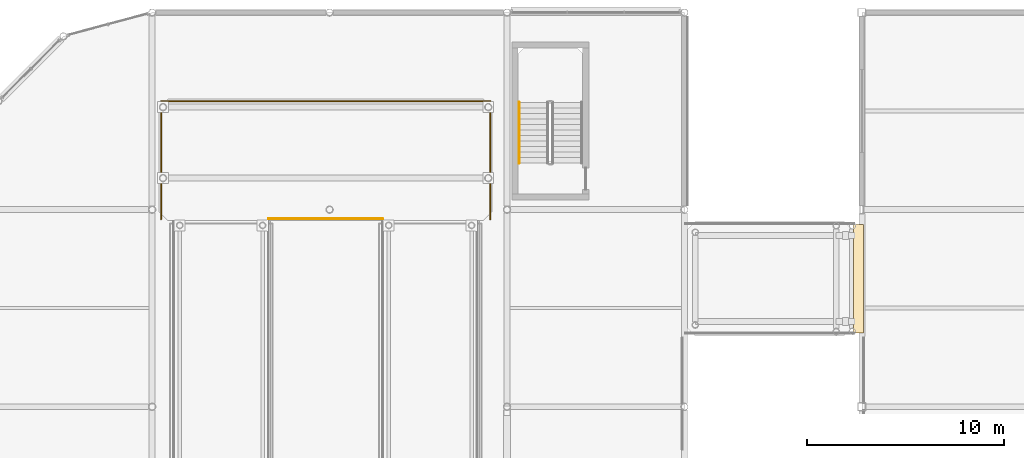
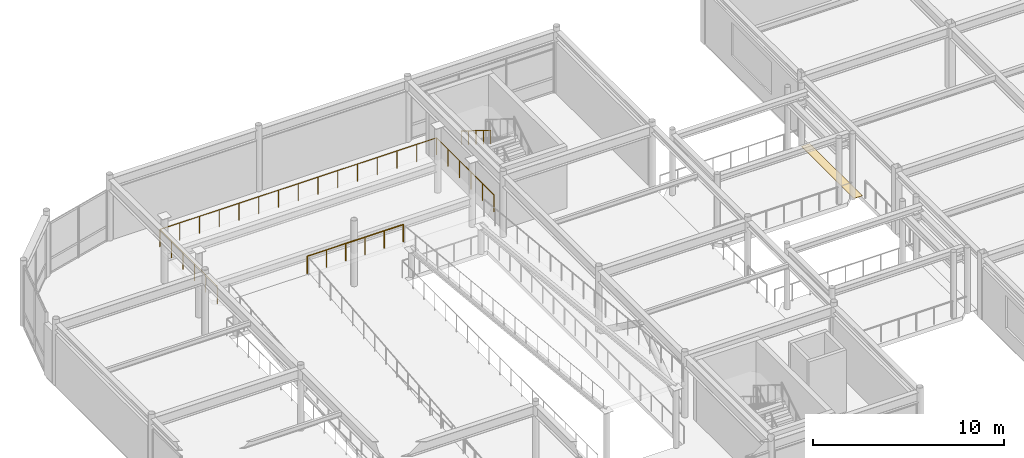
# One storey, part 61 of 70: 3 railings, 1 covering.
"""IFC4 building model written with IfcOpenShell, lengths in metres."""

from ifc_helpers import new_model, si_unit, direction, frame, origin, origin_2d, place, context, subcontext, project, spatial, polyline, circle, outline, extrude, material, layer, layer_set, type_object, element, save


model = new_model("IFC4")

# Units and contexts
model_context = context("Model", 3, precision=1e-05, world=origin(), true_north=direction((0.0, 1.0)))
body_context = subcontext(model_context, "Body", "Model", "MODEL_VIEW")
ifc_project = project(units=[si_unit("LENGTHUNIT", "METRE"), si_unit("AREAUNIT", "SQUARE_METRE"), si_unit("VOLUMEUNIT", "CUBIC_METRE"), si_unit("PLANEANGLEUNIT", "RADIAN"), si_unit("MASSUNIT", "GRAM", prefix="KILO")], contexts=[model_context])

# Site, building, storey
site_placement = place(None, origin())
site = spatial("IfcSite", under=ifc_project, at=site_placement, CompositionType="ELEMENT")
building_placement = place(site_placement, origin())
building = spatial("IfcBuilding", under=site, at=building_placement, Name="Suzunagisa Mobility Hub", CompositionType="ELEMENT")
storey_placement = place(building_placement, frame((0.0, 0.0, 13.5)))
storey = spatial("IfcBuildingStorey", under=building, at=storey_placement, Name="L03", CompositionType="ELEMENT", Elevation=13.5)

# Railings
ifc_material_1 = material(Name="Stainless Steel SUS304", Category="metal")
railing_type_1 = type_object("IfcRailingType", Name="Interior Well Guardrail IGR-01", PredefinedType="GUARDRAIL", material=ifc_material_1)
railing_1_placement = place(storey_placement, frame((9.449951171875, 107.5, 2.10009765625)))
element("IfcRailing", 1, at=railing_1_placement, inside=storey, type_object=railing_type_1, Name="L03 Vehicle Ramp Turn-Deck Guardrail RG-48", PredefinedType="GUARDRAIL", context=body_context, shape_type="SweptSolid", body=[
    extrude(circle(Radius=0.02392578125, at=origin_2d()), frame((0.0, 0.0, 1.09619140625), z_axis=(0.0, 1.0, 0.0), x_axis=(-1.0, 0.0, 0.0)), (0.0, 0.0, 1.0), 6.0),
    extrude(circle(Radius=0.02392578125, at=origin_2d()), frame((0.0, 6.0, 1.09619140625), z_axis=(1.0, 0.0, 0.0), x_axis=(0.0, 1.0, 0.0)), (0.0, 0.0, 1.0), 16.699951171875),
    extrude(circle(Radius=0.02392578125, at=origin_2d()), frame((16.699951171875, 6.0, 1.09619140625), z_axis=(0.0, -1.0, 0.0), x_axis=(1.0, 0.0, 0.0)), (0.0, 0.0, 1.0), 6.0),
    extrude(circle(Radius=0.02099609375, at=origin_2d()), origin(), (0.0, 0.0, 1.0), 1.072021484375),
    extrude(circle(Radius=0.02099609375, at=origin_2d()), frame((0.0, 1.199951171875, 0.0)), (0.0, 0.0, 1.0), 1.072021484375),
    extrude(circle(Radius=0.02099609375, at=origin_2d()), frame((0.0, 2.39990234375, 0.0)), (0.0, 0.0, 1.0), 1.072021484375),
    extrude(circle(Radius=0.02099609375, at=origin_2d()), frame((0.0, 3.60009765625, 0.0)), (0.0, 0.0, 1.0), 1.072021484375),
    extrude(circle(Radius=0.02099609375, at=origin_2d()), frame((0.0, 4.800048828125, 0.0)), (0.0, 0.0, 1.0), 1.072021484375),
    extrude(circle(Radius=0.02099609375, at=origin_2d()), frame((0.0, 6.0, 0.0)), (0.0, 0.0, 1.0), 1.072021484375),
    extrude(circle(Radius=0.02099609375, at=origin_2d()), frame((1.19287109375, 6.0, 0.0)), (0.0, 0.0, 1.0), 1.072021484375),
    extrude(circle(Radius=0.02099609375, at=origin_2d()), frame((2.3857421875, 6.0, 0.0)), (0.0, 0.0, 1.0), 1.072021484375),
    extrude(circle(Radius=0.02099609375, at=origin_2d()), frame((3.57861328125, 6.0, 0.0)), (0.0, 0.0, 1.0), 1.072021484375),
    extrude(circle(Radius=0.02099609375, at=origin_2d()), frame((4.771484375, 6.0, 0.0)), (0.0, 0.0, 1.0), 1.072021484375),
    extrude(circle(Radius=0.02099609375, at=origin_2d()), frame((5.96435546875, 6.0, 0.0)), (0.0, 0.0, 1.0), 1.072021484375),
    extrude(circle(Radius=0.02099609375, at=origin_2d()), frame((7.1572265625, 6.0, 0.0)), (0.0, 0.0, 1.0), 1.072021484375),
    extrude(circle(Radius=0.02099609375, at=origin_2d()), frame((8.35009765625, 6.0, 0.0)), (0.0, 0.0, 1.0), 1.072021484375),
    extrude(circle(Radius=0.02099609375, at=origin_2d()), frame((9.542724609375, 6.0, 0.0)), (0.0, 0.0, 1.0), 1.072021484375),
    extrude(circle(Radius=0.02099609375, at=origin_2d()), frame((10.735595703125, 6.0, 0.0)), (0.0, 0.0, 1.0), 1.072021484375),
    extrude(circle(Radius=0.02099609375, at=origin_2d()), frame((11.928466796875, 6.0, 0.0)), (0.0, 0.0, 1.0), 1.072021484375),
    extrude(circle(Radius=0.02099609375, at=origin_2d()), frame((13.121337890625, 6.0, 0.0)), (0.0, 0.0, 1.0), 1.072021484375),
    extrude(circle(Radius=0.02099609375, at=origin_2d()), frame((14.314208984375, 6.0, 0.0)), (0.0, 0.0, 1.0), 1.072021484375),
    extrude(circle(Radius=0.02099609375, at=origin_2d()), frame((15.507080078125, 6.0, 0.0)), (0.0, 0.0, 1.0), 1.072021484375),
    extrude(circle(Radius=0.02099609375, at=origin_2d()), frame((16.699951171875, 6.0, 0.0)), (0.0, 0.0, 1.0), 1.072021484375),
    extrude(circle(Radius=0.02099609375, at=origin_2d()), frame((16.699951171875, 4.800048828125, 0.0)), (0.0, 0.0, 1.0), 1.072021484375),
    extrude(circle(Radius=0.02099609375, at=origin_2d()), frame((16.699951171875, 3.60009765625, 0.0)), (0.0, 0.0, 1.0), 1.072021484375),
    extrude(circle(Radius=0.02099609375, at=origin_2d()), frame((16.699951171875, 2.39990234375, 0.0)), (0.0, 0.0, 1.0), 1.072021484375),
    extrude(circle(Radius=0.02099609375, at=origin_2d()), frame((16.699951171875, 1.199951171875, 0.0)), (0.0, 0.0, 1.0), 1.072021484375),
    extrude(circle(Radius=0.02099609375, at=origin_2d()), frame((16.699951171875, 0.0, 0.0)), (0.0, 0.0, 1.0), 1.072021484375),
])
railing_2_placement = place(storey_placement, frame((14.89990234375, 107.530029296875, 2.10009765625)))
element("IfcRailing", 2, at=railing_2_placement, inside=storey, type_object=railing_type_1, Name="L03 Vehicle Ramp Turn-Slot Guardrail RG-49", PredefinedType="GUARDRAIL", context=body_context, shape_type="SweptSolid", body=[
    extrude(circle(Radius=0.02392578125, at=origin_2d()), frame((0.0, 0.0, 1.09619140625), z_axis=(1.0, 0.0, 0.0), x_axis=(0.0, 1.0, 0.0)), (0.0, 0.0, 1.0), 5.800048828125),
    extrude(circle(Radius=0.02099609375, at=origin_2d()), origin(), (0.0, 0.0, 1.0), 1.072021484375),
    extrude(circle(Radius=0.02099609375, at=origin_2d()), frame((1.159912109375, 0.0, 0.0)), (0.0, 0.0, 1.0), 1.072021484375),
    extrude(circle(Radius=0.02099609375, at=origin_2d()), frame((2.320068359375, 0.0, 0.0)), (0.0, 0.0, 1.0), 1.072021484375),
    extrude(circle(Radius=0.02099609375, at=origin_2d()), frame((3.47998046875, 0.0, 0.0)), (0.0, 0.0, 1.0), 1.072021484375),
    extrude(circle(Radius=0.02099609375, at=origin_2d()), frame((4.64013671875, 0.0, 0.0)), (0.0, 0.0, 1.0), 1.072021484375),
    extrude(circle(Radius=0.02099609375, at=origin_2d()), frame((5.800048828125, 0.0, 0.0)), (0.0, 0.0, 1.0), 1.072021484375),
])

# Covering
ifc_material_2 = material(Name="Polished Aggregate Terrazzo Finish")
ifc_layer = layer(ifc_material_2, 0.02001953125)
ifc_layer_set = layer_set([ifc_layer], Name="Polished Aggregate Terrazzo Finish")
covering_type = type_object("IfcCoveringType", Name="Polished Terrazzo Heavy-Traffic Flooring FLR-01", PredefinedType="FLOORING", material=ifc_layer_set)
covering_placement = place(storey_placement, frame((0.0, 0.0, -0.02001953125)))
element("IfcCovering", 3, at=covering_placement, inside=storey, type_object=covering_type, Name="L03 Flush Hinged Seismic Threshold Plate VRL-L03-N", PredefinedType="FLOORING", context=body_context, shape_type="SweptSolid", body=[
    extrude(outline(polyline([(44.570068359375, 101.75), (45.080078125, 101.75), (45.080078125, 107.25), (44.570068359375, 107.25), (44.570068359375, 101.75)])), origin(), (0.0, 0.0, 1.0), 0.02001953125),
])

# Railing
railing_type_2 = type_object("IfcRailingType", Name="Tubular Stainless Stair Handrail IHR-01", PredefinedType="HANDRAIL", material=ifc_material_1)
railing_3_placement = place(storey_placement, frame((27.610107421875, 113.43994140625, 2.27490234375)))
element("IfcRailing", 4, at=railing_3_placement, inside=storey, type_object=railing_type_2, Name="L03 ST-06 stair handrail 2", PredefinedType="HANDRAIL", context=body_context, shape_type="SweptSolid", body=[
    extrude(circle(Radius=0.02392578125, at=origin_2d()), frame((0.0, 0.0, 0.8759765625), z_axis=(0.0, -0.847979421464, 0.530029150871), x_axis=(1.0, 0.0, 0.0)), (0.0, 0.0, 1.0), 3.632080078125),
    extrude(circle(Radius=0.02099609375, at=origin_2d()), origin(), (0.0, 0.0, 1.0), 0.851806640625),
    extrude(circle(Radius=0.02099609375, at=origin_2d()), frame((0.0, -0.77001953125, 0.481201171875)), (0.0, 0.0, 1.0), 0.851806640625),
    extrude(circle(Radius=0.02099609375, at=origin_2d()), frame((0.0, -1.5400390625, 0.96240234375)), (0.0, 0.0, 1.0), 0.851806640625),
    extrude(circle(Radius=0.02099609375, at=origin_2d()), frame((0.0, -2.309814453125, 1.44384765625)), (0.0, 0.0, 1.0), 0.851806640625),
    extrude(circle(Radius=0.02099609375, at=origin_2d()), frame((0.0, -3.079833984375, 1.925048828125)), (0.0, 0.0, 1.0), 0.851806640625),
])

save(model, "model.ifc")
